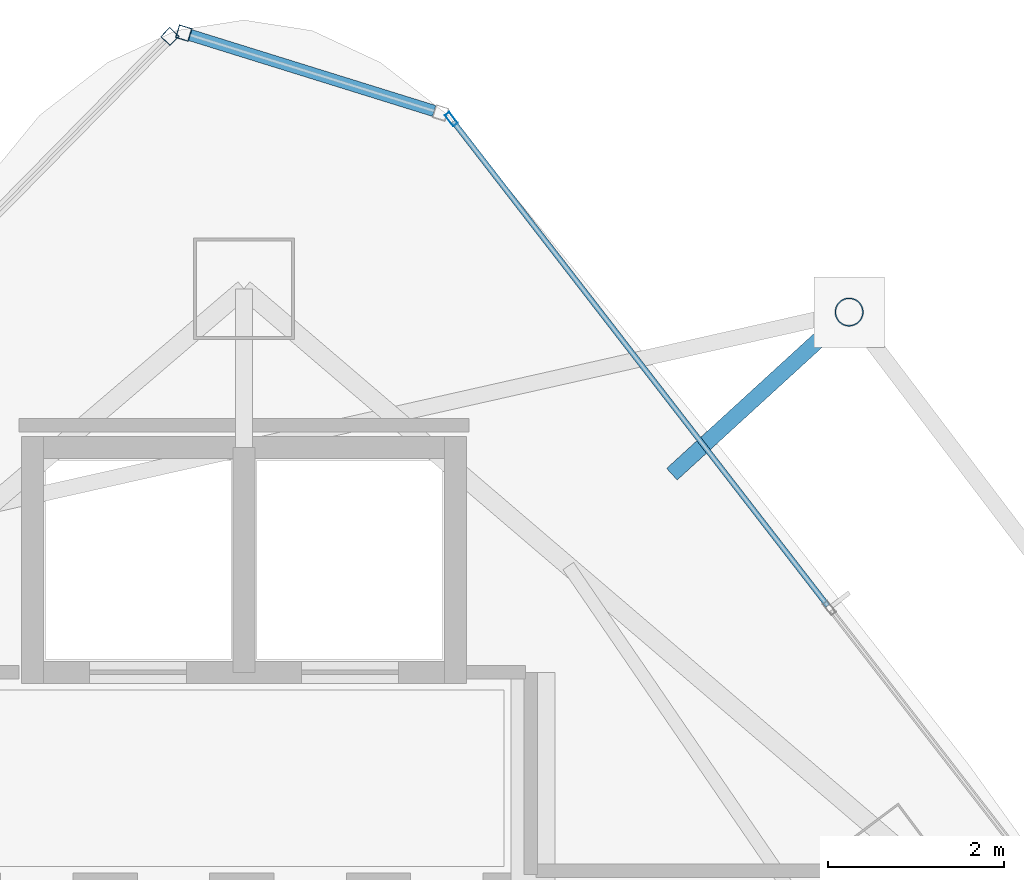
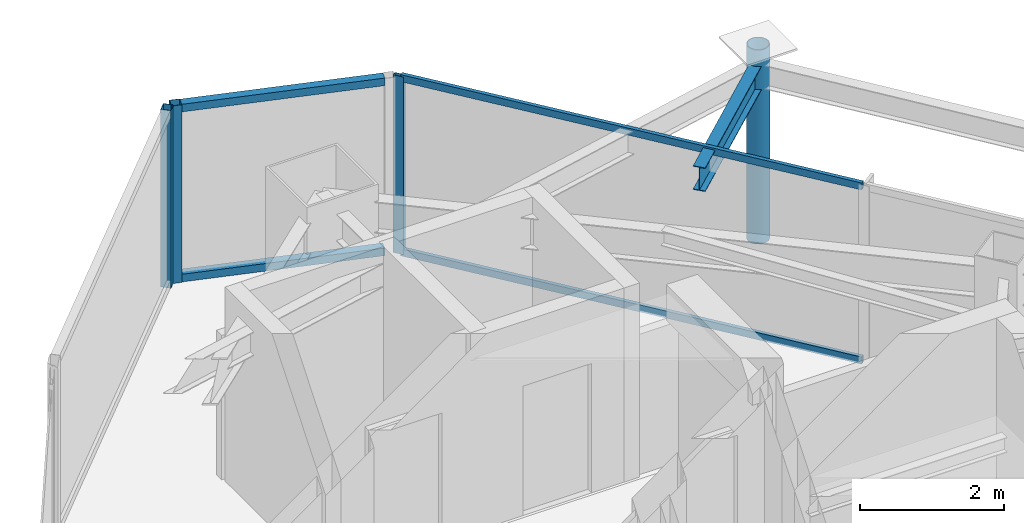
# One storey, part 24 of 30: 8 members, 1 beam, 3 elements without a shape of their own.
"""IFC4 building model written with IfcOpenShell, lengths in metres."""

from ifc_helpers import new_model, si_unit, direction, frame, origin, origin_2d, place, context, subcontext, project, spatial, hollow_rectangle, hollow_circle, i_section, extrude, material, layer, layer_set, material_profile, profile_set, type_object, element, aggregate, save


model = new_model("IFC4")

# Units and contexts
model_context = context("Model", 3, precision=1e-05, world=origin(), true_north=direction((0.0, 1.0)))
body_context = subcontext(model_context, "Body", "Model", "MODEL_VIEW")
ifc_project = project(units=[si_unit("LENGTHUNIT", "METRE"), si_unit("AREAUNIT", "SQUARE_METRE"), si_unit("VOLUMEUNIT", "CUBIC_METRE"), si_unit("PLANEANGLEUNIT", "RADIAN"), si_unit("MASSUNIT", "GRAM", prefix="KILO")], contexts=[model_context])

# Site, building, storey
site_placement = place(None, origin())
site = spatial("IfcSite", under=ifc_project, at=site_placement, CompositionType="ELEMENT")
building_placement = place(site_placement, origin())
building = spatial("IfcBuilding", under=site, at=building_placement, Name="Orvanel Arch Residences", CompositionType="ELEMENT")
storey_placement = place(building_placement, frame((0.0, 0.0, 273.35009765625)))
storey = spatial("IfcBuildingStorey", under=building, at=storey_placement, Name="L78", CompositionType="ELEMENT", Elevation=273.35009765625)

# Curtain wall, member
ifc_material_1 = material(Name="Bronze-anodised aluminium AA6063-T6", Category="aluminium")
ifc_layer_1 = layer(ifc_material_1, 0.18994140625)
ifc_layer_set_1 = layer_set([ifc_layer_1], Name="Bronze-anodised aluminium AA6063-T6")
curtain_wall_type_1 = type_object("IfcCurtainWallType", Name="CW5-CRN-SYS", PredefinedType="NOTDEFINED", material=ifc_layer_set_1)
curtain_wall_1_placement = place(storey_placement, origin())
curtain_wall_1 = element("IfcCurtainWall", 1, at=curtain_wall_1_placement, inside=storey, type_object=curtain_wall_type_1, Name="L78 CW5-CRN-SYS Unitised Curtain Wall", PredefinedType="NOTDEFINED")
ifc_material_profile_1 = material_profile(ifc_material_1, hollow_rectangle(XDim=0.14990234375, YDim=0.14990234375, WallThickness=0.0048828125, at=origin_2d()), Name="ALU150x150x5")
ifc_profile_set_1 = profile_set([ifc_material_profile_1], Name="Bronze-anodised aluminium AA6063-T6")
member_type_1 = type_object("IfcMemberType", Name="MUL-150x150", PredefinedType="MULLION", material=ifc_profile_set_1)
member_1_placement = place(storey_placement, frame((32.317626953125, 44.296630859375, 0.0), z_axis=(0.0, 0.0, 1.0), x_axis=(-0.297028543105, -0.954868600689, 0.0)))
member_1 = element("IfcMember", 2, at=member_1_placement, type_object=member_type_1, Name="CW-S5 mullion 2", PredefinedType="MULLION", context=body_context, shape_type="SweptSolid", body=[
    extrude(hollow_rectangle(XDim=0.14990234375, YDim=0.14990234375, WallThickness=0.0048828125, at=origin_2d()), origin(), (0.0, 0.0, 1.0), 3.02001953125),
])

curtain_wall_2_placement = place(storey_placement, origin())
curtain_wall_2 = element("IfcCurtainWall", 3, at=curtain_wall_2_placement, inside=storey, type_object=curtain_wall_type_1, Name="L78 CW5-CRN-SYS Unitised Curtain Wall", PredefinedType="NOTDEFINED")
member_2_placement = place(storey_placement, frame((32.160400390625, 44.257568359375, 0.0), z_axis=(0.0, 0.0, 1.0), x_axis=(0.712987423362, -0.701176820871, 0.0)))
member_2 = element("IfcMember", 4, at=member_2_placement, type_object=member_type_1, Name="CW-S5 mullion 1", PredefinedType="MULLION", context=body_context, shape_type="SweptSolid", body=[
    extrude(hollow_rectangle(XDim=0.14990234375, YDim=0.14990234375, WallThickness=0.0048828125, at=origin_2d()), origin(), (0.0, 0.0, 1.0), 3.02001953125),
])
aggregate(curtain_wall_2, [member_2])

ifc_layer_2 = layer(ifc_material_1, 0.175048828125)
ifc_layer_set_2 = layer_set([ifc_layer_2], Name="Bronze-anodised aluminium AA6063-T6")
curtain_wall_type_2 = type_object("IfcCurtainWallType", Name="CW4-HI-SYS", PredefinedType="NOTDEFINED", material=ifc_layer_set_2)
curtain_wall_3_placement = place(storey_placement, origin())
curtain_wall_3 = element("IfcCurtainWall", 5, at=curtain_wall_3_placement, inside=storey, type_object=curtain_wall_type_2, Name="L78 CW4-HI-SYS Unitised Curtain Wall", PredefinedType="NOTDEFINED")
ifc_material_profile_2 = material_profile(ifc_material_1, hollow_rectangle(XDim=0.06494140625, YDim=0.159912109375, WallThickness=0.00390625, at=origin_2d()), Name="ALU160x65x4")
ifc_profile_set_2 = profile_set([ifc_material_profile_2], Name="Bronze-anodised aluminium AA6063-T6")
member_type_2 = type_object("IfcMemberType", Name="MUL-160x65", PredefinedType="MULLION", material=ifc_profile_set_2)
member_3_placement = place(storey_placement, frame((35.350830078125, 43.3212890625, 0.0), z_axis=(0.0, 0.0, 1.0), x_axis=(-0.791013108385, -0.611799201016, 0.0)))
member_3 = element("IfcMember", 6, at=member_3_placement, type_object=member_type_2, Name="CW-S4 mullion 3", PredefinedType="MULLION", context=body_context, shape_type="SweptSolid", body=[
    extrude(hollow_rectangle(XDim=0.06494140625, YDim=0.159912109375, WallThickness=0.00390625, at=origin_2d()), origin(), (0.0, 0.0, 1.0), 3.02001953125),
])

# Beam
ifc_material_2 = material(Name="Structural steel AS/NZS 3679.1 Grade 300 (300 MPa)", Category="steel")
ifc_material_profile_3 = material_profile(ifc_material_2, i_section(OverallWidth=0.177978515625, OverallDepth=0.406005859375, WebThickness=0.0078125, FlangeThickness=0.0126953125, at=origin_2d()), Name="410UB59.7")
ifc_profile_set_3 = profile_set([ifc_material_profile_3], Name="Structural steel AS/NZS 3679.1 Grade 300 (300 MPa)")
beam_type = type_object("IfcBeamType", Name="OB-410UB-EXT", PredefinedType="SPANDREL", material=ifc_profile_set_3)
beam_placement = place(storey_placement, frame((37.85107421875, 39.2958984375, 2.81689453125), z_axis=(0.737790211192, 0.675030076566, 0.0), x_axis=(-0.675030076566, 0.737790211192, 0.0)))
element("IfcBeam", 7, at=beam_placement, inside=storey, type_object=beam_type, Name="L78 Outer Frame Radial Tie Beam 12", PredefinedType="SPANDREL", context=body_context, shape_type="SweptSolid", body=[
    extrude(i_section(OverallWidth=0.177978515625, OverallDepth=0.406005859375, WebThickness=0.0078125, FlangeThickness=0.0126953125, at=origin_2d()), origin(), (0.0, 0.0, 1.0), 2.72314453125),
])

# Member
ifc_material_3 = material(Name="Structural steel AS/NZS 1163 C350L0 (Grade 350)", Category="steel")
ifc_material_profile_4 = material_profile(ifc_material_3, hollow_circle(Radius=0.162109375, WallThickness=0.0126953125, at=origin_2d()), Name="CHS324x12.7")
ifc_profile_set_4 = profile_set([ifc_material_profile_4], Name="Structural steel AS/NZS 1163 C350L0 (Grade 350)")
member_type_3 = type_object("IfcMemberType", Name="ST-324CHS-EXT", PredefinedType="STRUT", material=ifc_profile_set_4)
member_4_placement = place(storey_placement, frame((39.860107421875, 41.134033203125, 0.0), z_axis=(0.0, 0.0, 1.0), x_axis=(1.0, 0.0, 0.0)))
element("IfcMember", 8, at=member_4_placement, inside=storey, type_object=member_type_3, Name="L78 Outer Perimeter Frame Post 12", PredefinedType="STRUT", context=body_context, shape_type="SweptSolid", body=[
    extrude(hollow_circle(Radius=0.162109375, WallThickness=0.0126953125, at=origin_2d()), origin(), (0.0, 0.0, 1.0), 3.2998046875),
])

ifc_material_profile_5 = material_profile(ifc_material_1, hollow_rectangle(XDim=0.06005859375, YDim=0.1201171875, WallThickness=0.00341796875, at=origin_2d()), Name="ALU120x60x3.5")
ifc_profile_set_5 = profile_set([ifc_material_profile_5], Name="Bronze-anodised aluminium AA6063-T6")
member_type_4 = type_object("IfcMemberType", Name="TRN-120x60", PredefinedType="USERDEFINED", material=ifc_profile_set_5)
member_5_placement = place(storey_placement, frame((39.61767578125, 37.8046875, 0.02978515625), z_axis=(-0.611790776718, 0.791019623981, 0.0), x_axis=(-0.791019623981, -0.611790776718, 0.0)))
member_5 = element("IfcMember", 9, at=member_5_placement, type_object=member_type_4, Name="CW-S4 transom 2.1", ObjectType="TRANSOM", PredefinedType="USERDEFINED", context=body_context, shape_type="SweptSolid", body=[
    extrude(hollow_rectangle(XDim=0.06005859375, YDim=0.1201171875, WallThickness=0.00341796875, at=origin_2d()), origin(), (0.0, 0.0, 1.0), 6.941650390625),
])

member_6_placement = place(storey_placement, frame((39.61767578125, 37.8046875, 2.989990234375), z_axis=(-0.611790776718, 0.791019623981, 0.0), x_axis=(-0.791019623981, -0.611790776718, 0.0)))
member_6 = element("IfcMember", 10, at=member_6_placement, type_object=member_type_4, Name="CW-S4 transom 2.2", ObjectType="TRANSOM", PredefinedType="USERDEFINED", context=body_context, shape_type="SweptSolid", body=[
    extrude(hollow_rectangle(XDim=0.06005859375, YDim=0.1201171875, WallThickness=0.00341796875, at=origin_2d()), origin(), (0.0, 0.0, 1.0), 6.941650390625),
])

aggregate(curtain_wall_3, [member_3, member_5, member_6])

ifc_material_profile_6 = material_profile(ifc_material_1, hollow_rectangle(XDim=0.1298828125, YDim=0.1298828125, WallThickness=0.00439453125, at=origin_2d()), Name="ALU130x130x4.5")
ifc_profile_set_6 = profile_set([ifc_material_profile_6], Name="Bronze-anodised aluminium AA6063-T6")
member_type_5 = type_object("IfcMemberType", Name="TRN-130x130", PredefinedType="USERDEFINED", material=ifc_profile_set_6)
member_7_placement = place(storey_placement, frame((35.15673828125, 43.41357421875, 0.06494140625), z_axis=(-0.954874827386, 0.297008525173, 0.0), x_axis=(-0.297008525173, -0.954874827386, 0.0)))
member_7 = element("IfcMember", 11, at=member_7_placement, type_object=member_type_5, Name="CW-S5 transom 1.1", ObjectType="TRANSOM", PredefinedType="USERDEFINED", context=body_context, shape_type="SweptSolid", body=[
    extrude(hollow_rectangle(XDim=0.1298828125, YDim=0.1298828125, WallThickness=0.00439453125, at=origin_2d()), origin(), (0.0, 0.0, 1.0), 2.8984375),
])

member_8_placement = place(storey_placement, frame((35.15673828125, 43.41357421875, 2.954833984375), z_axis=(-0.954874827386, 0.297008525173, 0.0), x_axis=(-0.297008525173, -0.954874827386, 0.0)))
member_8 = element("IfcMember", 12, at=member_8_placement, type_object=member_type_5, Name="CW-S5 transom 1.2", ObjectType="TRANSOM", PredefinedType="USERDEFINED", context=body_context, shape_type="SweptSolid", body=[
    extrude(hollow_rectangle(XDim=0.1298828125, YDim=0.1298828125, WallThickness=0.00439453125, at=origin_2d()), origin(), (0.0, 0.0, 1.0), 2.8984375),
])

aggregate(curtain_wall_1, [member_1, member_7, member_8])

save(model, "model.ifc")
